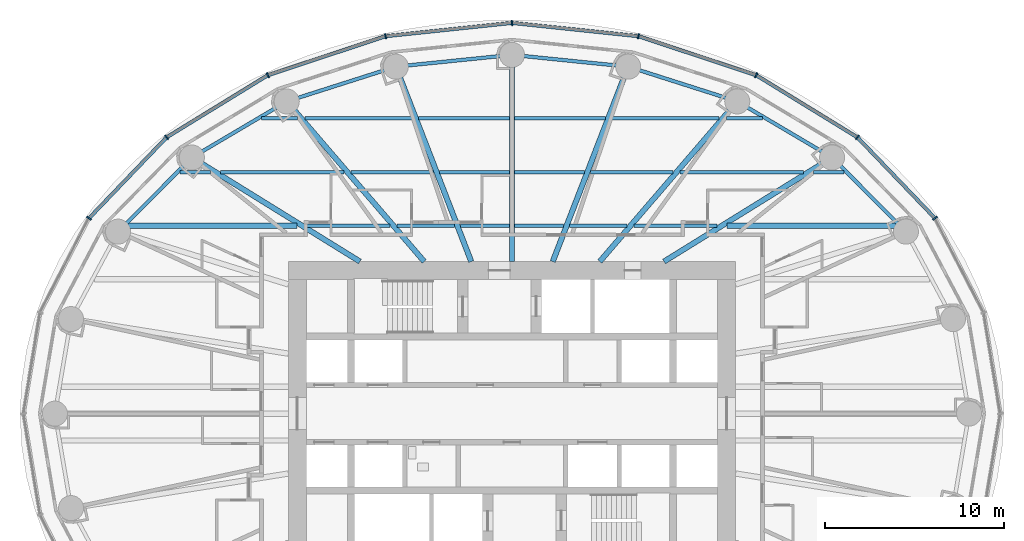
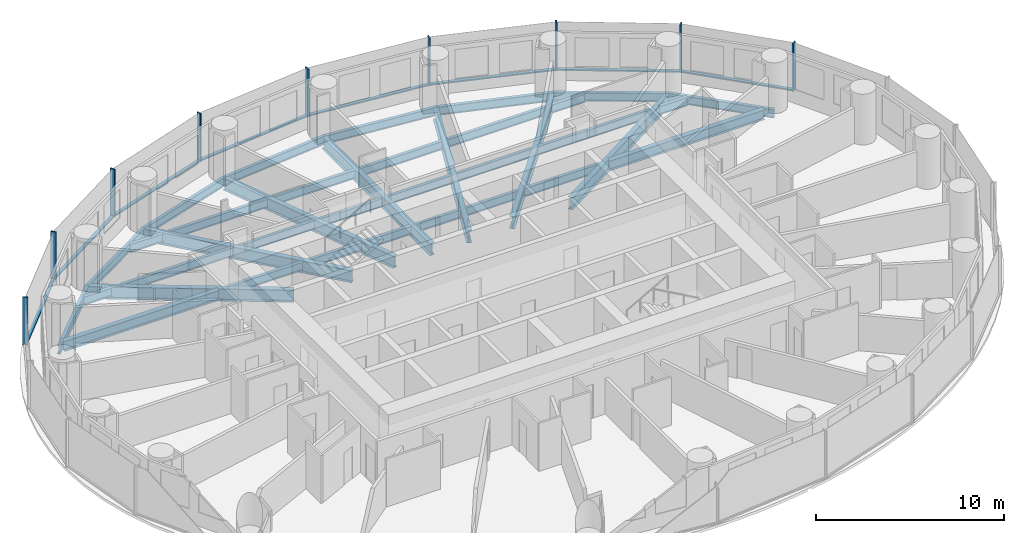
# One storey, part 4 of 16: 37 beams, 17 members, 2 elements without a shape of their own.
"""IFC4 building model written with IfcOpenShell, lengths in metres."""

from ifc_helpers import new_model, si_unit, direction, frame, origin, origin_2d, place, context, subcontext, project, spatial, rectangle, i_section, extrude, material, material_profile, profile_set, type_object, element, aggregate, save


model = new_model("IFC4")

# Units and contexts
model_context = context("Model", 3, precision=1e-05, world=origin(), true_north=direction((0.0, 1.0)))
body_context = subcontext(model_context, "Body", "Model", "MODEL_VIEW")
ifc_project = project(units=[si_unit("LENGTHUNIT", "METRE"), si_unit("AREAUNIT", "SQUARE_METRE"), si_unit("VOLUMEUNIT", "CUBIC_METRE"), si_unit("PLANEANGLEUNIT", "RADIAN"), si_unit("MASSUNIT", "GRAM", prefix="KILO")], contexts=[model_context])

# Site, building, storey
site_placement = place(None, origin())
site = spatial("IfcSite", under=ifc_project, at=site_placement, CompositionType="ELEMENT")
building_placement = place(site_placement, origin())
building = spatial("IfcBuilding", under=site, at=building_placement, Name="Hankou Lantern Tower", CompositionType="ELEMENT")
storey_placement = place(building_placement, frame((0.0, 0.0, 70.5)))
storey = spatial("IfcBuildingStorey", under=building, at=storey_placement, Name="L17", CompositionType="ELEMENT", Elevation=70.5)

# Beams
ifc_material_1 = material(Name="Steel Q355B", Category="steel")
ifc_material_profile_1 = material_profile(ifc_material_1, i_section(OverallWidth=0.199951171875, OverallDepth=0.550048828125, WebThickness=0.010009765625, FlangeThickness=0.01611328125, FilletRadius=0.012939453125, at=origin_2d()), Name="HN550x200x10x16")
ifc_profile_set_1 = profile_set([ifc_material_profile_1], Name="Steel Q355B")
beam_type_1 = type_object("IfcBeamType", Name="EB6 RING BEAM HN550x200x10x16", PredefinedType="SPANDREL", material=ifc_profile_set_1)
beam_1_placement = place(storey_placement, frame((22.01904296875, 10.170166015625, -0.455078125), z_axis=(-0.705727798394, 0.708483079949, 0.0), x_axis=(-0.708483079949, -0.705727798394, 0.0)))
element("IfcBeam", 1, at=beam_1_placement, inside=storey, type_object=beam_type_1, Name="Ring beam R03-R04 L17", PredefinedType="SPANDREL", context=body_context, shape_type="SweptSolid", body=[
    extrude(i_section(OverallWidth=0.199951171875, OverallDepth=0.550048828125, WebThickness=0.010009765625, FlangeThickness=0.01611328125, FilletRadius=0.012939453125, at=origin_2d()), origin(), (0.0, 0.0, 1.0), 5.84814453125),
])
beam_2_placement = place(storey_placement, frame((17.891845703125, 14.3134765625, -0.455078125), z_axis=(-0.860881533543, 0.508805449268, 0.0), x_axis=(-0.508805449268, -0.860881533543, 0.0)))
element("IfcBeam", 2, at=beam_2_placement, inside=storey, type_object=beam_type_1, Name="Ring beam R04-R05 L17", PredefinedType="SPANDREL", context=body_context, shape_type="SweptSolid", body=[
    extrude(i_section(OverallWidth=0.199951171875, OverallDepth=0.550048828125, WebThickness=0.010009765625, FlangeThickness=0.01611328125, FilletRadius=0.012939453125, at=origin_2d()), origin(), (0.0, 0.0, 1.0), 6.15771484375),
])
beam_3_placement = place(storey_placement, frame((12.5908203125, 17.446533203125, -0.455078125), z_axis=(-0.952690479428, 0.303942182671, 0.0), x_axis=(-0.303942182671, -0.952690479428, 0.0)))
element("IfcBeam", 3, at=beam_3_placement, inside=storey, type_object=beam_type_1, Name="Ring beam R05-R06 L17", PredefinedType="SPANDREL", context=body_context, shape_type="SweptSolid", body=[
    extrude(i_section(OverallWidth=0.199951171875, OverallDepth=0.550048828125, WebThickness=0.010009765625, FlangeThickness=0.01611328125, FilletRadius=0.012939453125, at=origin_2d()), origin(), (0.0, 0.0, 1.0), 6.398681640625),
])
for number, where, z_axis, x_axis, name in (
    (4, (6.494873046875, 19.391357421875, -0.455078125), (-0.994896616842, 0.100899562915, 0.0), (-0.100899562915, -0.994896616842, 0.0), "Ring beam R06-R07 L17"),
    (5, (0.0, 20.050048828125, -0.455078125), (-0.994896616842, -0.100899562915, 0.0), (0.100899562915, -0.994896616842, 0.0), "Ring beam R07-R08 L17"),
):
    element("IfcBeam", number, at=place(storey_placement, frame(where, z_axis=z_axis, x_axis=x_axis)), inside=storey, type_object=beam_type_1, Name=name, PredefinedType="SPANDREL", context=body_context, shape_type="SweptSolid", body=[
        extrude(i_section(OverallWidth=0.199951171875, OverallDepth=0.550048828125, WebThickness=0.010009765625, FlangeThickness=0.01611328125, FilletRadius=0.012939453125, at=origin_2d()), origin(), (0.0, 0.0, 1.0), 6.528076171875),
    ])
beam_4_placement = place(storey_placement, frame((-6.494873046875, 19.391357421875, -0.455078125), z_axis=(-0.952690479428, -0.303942182671, 0.0), x_axis=(0.303942182671, -0.952690479428, 0.0)))
element("IfcBeam", 6, at=beam_4_placement, inside=storey, type_object=beam_type_1, Name="Ring beam R08-R09 L17", PredefinedType="SPANDREL", context=body_context, shape_type="SweptSolid", body=[
    extrude(i_section(OverallWidth=0.199951171875, OverallDepth=0.550048828125, WebThickness=0.010009765625, FlangeThickness=0.01611328125, FilletRadius=0.012939453125, at=origin_2d()), origin(), (0.0, 0.0, 1.0), 6.398681640625),
])
beam_5_placement = place(storey_placement, frame((-12.5908203125, 17.446533203125, -0.455078125), z_axis=(-0.860881533543, -0.508805449268, 0.0), x_axis=(0.508805449268, -0.860881533543, 0.0)))
element("IfcBeam", 7, at=beam_5_placement, inside=storey, type_object=beam_type_1, Name="Ring beam R09-R10 L17", PredefinedType="SPANDREL", context=body_context, shape_type="SweptSolid", body=[
    extrude(i_section(OverallWidth=0.199951171875, OverallDepth=0.550048828125, WebThickness=0.010009765625, FlangeThickness=0.01611328125, FilletRadius=0.012939453125, at=origin_2d()), origin(), (0.0, 0.0, 1.0), 6.15771484375),
])
beam_6_placement = place(storey_placement, frame((-17.891845703125, 14.3134765625, -0.455078125), z_axis=(-0.705727798394, -0.708483079949, 0.0), x_axis=(0.708483079949, -0.705727798394, 0.0)))
element("IfcBeam", 8, at=beam_6_placement, inside=storey, type_object=beam_type_1, Name="Ring beam R10-R11 L17", PredefinedType="SPANDREL", context=body_context, shape_type="SweptSolid", body=[
    extrude(i_section(OverallWidth=0.199951171875, OverallDepth=0.550048828125, WebThickness=0.010009765625, FlangeThickness=0.01611328125, FilletRadius=0.012939453125, at=origin_2d()), origin(), (0.0, 0.0, 1.0), 5.84814453125),
])

# Curtain wall, members
ifc_material_2 = material(Name="Glass, dark grey tinted laminated", Category="glass")
curtain_wall_type = type_object("IfcCurtainWallType", Name="CWA OUTER SKIN LOW-RISE", PredefinedType="USERDEFINED", material=ifc_material_2)
curtain_wall_1_placement = place(storey_placement, origin())
curtain_wall_1 = element("IfcCurtainWall", 9, at=curtain_wall_1_placement, inside=storey, type_object=curtain_wall_type, Name="CWA L17 OS1", ObjectType="OUTER SKIN LOW-RISE", PredefinedType="USERDEFINED")
ifc_material_3 = material(Name="Aluminium, black anodised", Category="aluminium")
ifc_material_profile_2 = material_profile(ifc_material_3, rectangle(XDim=0.080078125, YDim=0.300048828125, at=origin_2d()), Name="MU1 80X300")
ifc_profile_set_2 = profile_set([ifc_material_profile_2], Name="Aluminium, black anodised")
member_type_1 = type_object("IfcMemberType", Name="MU1 OUTER SKIN MULLION 80X300", PredefinedType="MULLION", material=ifc_profile_set_2)
member_1_placement = place(storey_placement, frame((23.642578125, 10.919921875, 0.0), z_axis=(0.0, 0.0, 1.0), x_axis=(-0.585205735974, 0.810884854084, 0.0)))
member_1 = element("IfcMember", 10, at=member_1_placement, type_object=member_type_1, Name="CWA mullion 3", PredefinedType="MULLION", context=body_context, shape_type="SweptSolid", body=[
    extrude(rectangle(XDim=0.080078125, YDim=0.300048828125, at=origin_2d()), origin(), (0.0, 0.0, 1.0), 3.1201171875),
])
member_2_placement = place(storey_placement, frame((19.303955078125, 15.443115234375, 0.0), z_axis=(0.0, 0.0, 1.0), x_axis=(-0.780868809444, 0.624695047553, 0.0)))
member_2 = element("IfcMember", 11, at=member_2_placement, type_object=member_type_1, Name="CWA mullion 4", PredefinedType="MULLION", context=body_context, shape_type="SweptSolid", body=[
    extrude(rectangle(XDim=0.080078125, YDim=0.300048828125, at=origin_2d()), origin(), (0.0, 0.0, 1.0), 3.1201171875),
])
member_3_placement = place(storey_placement, frame((13.64990234375, 18.9140625, 0.0), z_axis=(0.0, 0.0, 1.0), x_axis=(-0.907841299004, 0.419313934686, 0.0)))
member_3 = element("IfcMember", 12, at=member_3_placement, type_object=member_type_1, Name="CWA mullion 5", PredefinedType="MULLION", context=body_context, shape_type="SweptSolid", body=[
    extrude(rectangle(XDim=0.080078125, YDim=0.300048828125, at=origin_2d()), origin(), (0.0, 0.0, 1.0), 3.1201171875),
])
member_4_placement = place(storey_placement, frame((7.065673828125, 21.095703125, 0.0), z_axis=(0.0, 0.0, 1.0), x_axis=(-0.977787659625, 0.209597931016, 0.0)))
member_4 = element("IfcMember", 13, at=member_4_placement, type_object=member_type_1, Name="CWA mullion 6", PredefinedType="MULLION", context=body_context, shape_type="SweptSolid", body=[
    extrude(rectangle(XDim=0.080078125, YDim=0.300048828125, at=origin_2d()), origin(), (0.0, 0.0, 1.0), 3.1201171875),
])

curtain_wall_2_placement = place(storey_placement, origin())
curtain_wall_2 = element("IfcCurtainWall", 14, at=curtain_wall_2_placement, inside=storey, type_object=curtain_wall_type, Name="CWA L17 OS2", ObjectType="OUTER SKIN LOW-RISE", PredefinedType="USERDEFINED")
member_5_placement = place(storey_placement, frame((0.0, 21.840087890625, 0.0), z_axis=(0.0, 0.0, 1.0), x_axis=(-0.994499359107, -0.104742659579, 0.0)))
member_5 = element("IfcMember", 15, at=member_5_placement, type_object=member_type_1, Name="CWA mullion 1", PredefinedType="MULLION", context=body_context, shape_type="SweptSolid", body=[
    extrude(rectangle(XDim=0.080078125, YDim=0.300048828125, at=origin_2d()), origin(), (0.0, 0.0, 1.0), 3.1201171875),
])
member_6_placement = place(storey_placement, frame((-7.065673828125, 21.095703125, 0.0), z_axis=(0.0, 0.0, 1.0), x_axis=(-0.977787659625, -0.209597931016, 0.0)))
member_6 = element("IfcMember", 16, at=member_6_placement, type_object=member_type_1, Name="CWA mullion 2", PredefinedType="MULLION", context=body_context, shape_type="SweptSolid", body=[
    extrude(rectangle(XDim=0.080078125, YDim=0.300048828125, at=origin_2d()), origin(), (0.0, 0.0, 1.0), 3.1201171875),
])
member_7_placement = place(storey_placement, frame((-13.64990234375, 18.9140625, 0.0), z_axis=(0.0, 0.0, 1.0), x_axis=(-0.907841299004, -0.419313934686, 0.0)))
member_7 = element("IfcMember", 17, at=member_7_placement, type_object=member_type_1, Name="CWA mullion 3", PredefinedType="MULLION", context=body_context, shape_type="SweptSolid", body=[
    extrude(rectangle(XDim=0.080078125, YDim=0.300048828125, at=origin_2d()), origin(), (0.0, 0.0, 1.0), 3.1201171875),
])
member_8_placement = place(storey_placement, frame((-19.303955078125, 15.443115234375, 0.0), z_axis=(0.0, 0.0, 1.0), x_axis=(-0.780868809444, -0.624695047553, 0.0)))
member_8 = element("IfcMember", 18, at=member_8_placement, type_object=member_type_1, Name="CWA mullion 4", PredefinedType="MULLION", context=body_context, shape_type="SweptSolid", body=[
    extrude(rectangle(XDim=0.080078125, YDim=0.300048828125, at=origin_2d()), origin(), (0.0, 0.0, 1.0), 3.1201171875),
])
member_9_placement = place(storey_placement, frame((-23.642578125, 10.919921875, 0.0), z_axis=(0.0, 0.0, 1.0), x_axis=(-0.585205735974, -0.810884854084, 0.0)))
member_9 = element("IfcMember", 19, at=member_9_placement, type_object=member_type_1, Name="CWA mullion 5", PredefinedType="MULLION", context=body_context, shape_type="SweptSolid", body=[
    extrude(rectangle(XDim=0.080078125, YDim=0.300048828125, at=origin_2d()), origin(), (0.0, 0.0, 1.0), 3.1201171875),
])

# Beams
ifc_material_4 = material(Name="Steel Q355B", Category="steel")
ifc_material_profile_3 = material_profile(ifc_material_4, i_section(OverallWidth=0.300048828125, OverallDepth=0.800048828125, WebThickness=0.013916015625, FlangeThickness=0.02587890625, FilletRadius=0.01806640625, at=origin_2d()), Name="HN800x300x14x26")
ifc_profile_set_3 = profile_set([ifc_material_profile_3], Name="Steel Q355B")
beam_type_2 = type_object("IfcBeamType", Name="RB11 RADIAL BEAM HN800x300x14x26", PredefinedType="BEAM", material=ifc_profile_set_3)
beam_7_placement = place(storey_placement, frame((8.5, 8.5, -0.580078125), z_axis=(0.850286343288, 0.526320372414, 0.0), x_axis=(-0.526320372414, 0.850286343288, 0.0)))
element("IfcBeam", 20, at=beam_7_placement, inside=storey, type_object=beam_type_2, Name="Radial beam R04 L17", PredefinedType="BEAM", context=body_context, shape_type="SweptSolid", body=[
    extrude(i_section(OverallWidth=0.300048828125, OverallDepth=0.800048828125, WebThickness=0.013916015625, FlangeThickness=0.02587890625, FilletRadius=0.01806640625, at=origin_2d()), origin(), (0.0, 0.0, 1.0), 11.04541015625),
])
beam_8_placement = place(storey_placement, frame((4.907470703125, 8.5, -0.580078125), z_axis=(0.651519061225, 0.758632264579, 0.0), x_axis=(-0.758632264579, 0.651519061225, 0.0)))
element("IfcBeam", 21, at=beam_8_placement, inside=storey, type_object=beam_type_2, Name="Radial beam R05 L17", PredefinedType="BEAM", context=body_context, shape_type="SweptSolid", body=[
    extrude(i_section(OverallWidth=0.300048828125, OverallDepth=0.800048828125, WebThickness=0.013916015625, FlangeThickness=0.02587890625, FilletRadius=0.01806640625, at=origin_2d()), origin(), (0.0, 0.0, 1.0), 11.79296875),
])
beam_9_placement = place(storey_placement, frame((2.277587890625, 8.5, -0.580078125), z_axis=(0.361089103374, 0.932531318201, 0.0), x_axis=(-0.932531318201, 0.361089103374, 0.0)))
element("IfcBeam", 22, at=beam_9_placement, inside=storey, type_object=beam_type_2, Name="Radial beam R06 L17", PredefinedType="BEAM", context=body_context, shape_type="SweptSolid", body=[
    extrude(i_section(OverallWidth=0.300048828125, OverallDepth=0.800048828125, WebThickness=0.013916015625, FlangeThickness=0.02587890625, FilletRadius=0.01806640625, at=origin_2d()), origin(), (0.0, 0.0, 1.0), 11.679443359375),
])
beam_10_placement = place(storey_placement, frame((0.0, 8.5, -0.580078125), z_axis=(0.0, 1.0, 0.0), x_axis=(-1.0, 0.0, 0.0)))
element("IfcBeam", 23, at=beam_10_placement, inside=storey, type_object=beam_type_2, Name="Radial beam R07 L17", PredefinedType="BEAM", context=body_context, shape_type="SweptSolid", body=[
    extrude(i_section(OverallWidth=0.300048828125, OverallDepth=0.800048828125, WebThickness=0.013916015625, FlangeThickness=0.02587890625, FilletRadius=0.01806640625, at=origin_2d()), origin(), (0.0, 0.0, 1.0), 11.550048828125),
])
beam_11_placement = place(storey_placement, frame((-2.277587890625, 8.5, -0.580078125), z_axis=(-0.361089103374, 0.932531318201, 0.0), x_axis=(-0.932531318201, -0.361089103374, 0.0)))
element("IfcBeam", 24, at=beam_11_placement, inside=storey, type_object=beam_type_2, Name="Radial beam R08 L17", PredefinedType="BEAM", context=body_context, shape_type="SweptSolid", body=[
    extrude(i_section(OverallWidth=0.300048828125, OverallDepth=0.800048828125, WebThickness=0.013916015625, FlangeThickness=0.02587890625, FilletRadius=0.01806640625, at=origin_2d()), origin(), (0.0, 0.0, 1.0), 11.679443359375),
])
beam_12_placement = place(storey_placement, frame((-4.907470703125, 8.5, -0.580078125), z_axis=(-0.651519061225, 0.758632264579, 0.0), x_axis=(-0.758632264579, -0.651519061225, 0.0)))
element("IfcBeam", 25, at=beam_12_placement, inside=storey, type_object=beam_type_2, Name="Radial beam R09 L17", PredefinedType="BEAM", context=body_context, shape_type="SweptSolid", body=[
    extrude(i_section(OverallWidth=0.300048828125, OverallDepth=0.800048828125, WebThickness=0.013916015625, FlangeThickness=0.02587890625, FilletRadius=0.01806640625, at=origin_2d()), origin(), (0.0, 0.0, 1.0), 11.79296875),
])
beam_13_placement = place(storey_placement, frame((-8.5, 8.5, -0.580078125), z_axis=(-0.850286343288, 0.526320372414, 0.0), x_axis=(-0.526320372414, -0.850286343288, 0.0)))
element("IfcBeam", 26, at=beam_13_placement, inside=storey, type_object=beam_type_2, Name="Radial beam R10 L17", PredefinedType="BEAM", context=body_context, shape_type="SweptSolid", body=[
    extrude(i_section(OverallWidth=0.300048828125, OverallDepth=0.800048828125, WebThickness=0.013916015625, FlangeThickness=0.02587890625, FilletRadius=0.01806640625, at=origin_2d()), origin(), (0.0, 0.0, 1.0), 11.04541015625),
])
ifc_material_5 = material(Name="Steel Q355B", Category="steel")
ifc_material_profile_4 = material_profile(ifc_material_5, i_section(OverallWidth=0.199951171875, OverallDepth=0.550048828125, WebThickness=0.010009765625, FlangeThickness=0.01611328125, FilletRadius=0.012939453125, at=origin_2d()), Name="HN550x200x10x16")
ifc_profile_set_4 = profile_set([ifc_material_profile_4], Name="Steel Q355B")
beam_type_3 = type_object("IfcBeamType", Name="SB6 SECONDARY BEAM HN550x200x10x16", PredefinedType="JOIST", material=ifc_profile_set_4)
beam_14_placement = place(storey_placement, frame((-11.446044921875, 10.5, -0.455078125), z_axis=(1.0, 0.0, 0.0), x_axis=(0.0, 1.0, 0.0)))
element("IfcBeam", 27, at=beam_14_placement, inside=storey, type_object=beam_type_3, Name="Floor joist J040 L17", PredefinedType="JOIST", context=body_context, shape_type="SweptSolid", body=[
    extrude(i_section(OverallWidth=0.199951171875, OverallDepth=0.550048828125, WebThickness=0.010009765625, FlangeThickness=0.01611328125, FilletRadius=0.012939453125, at=origin_2d()), origin(), (0.0, 0.0, 1.0), 4.623291015625),
])
beam_15_placement = place(storey_placement, frame((-6.427490234375, 10.5, -0.455078125), z_axis=(1.0, 0.0, 0.0), x_axis=(0.0, 1.0, 0.0)))
element("IfcBeam", 28, at=beam_15_placement, inside=storey, type_object=beam_type_3, Name="Floor joist J041 L17", PredefinedType="JOIST", context=body_context, shape_type="SweptSolid", body=[
    extrude(i_section(OverallWidth=0.199951171875, OverallDepth=0.550048828125, WebThickness=0.010009765625, FlangeThickness=0.01611328125, FilletRadius=0.012939453125, at=origin_2d()), origin(), (0.0, 0.0, 1.0), 3.214599609375),
])
for number, where, z_axis, x_axis, name in (
    (29, (-2.89111328125, 10.5, -0.455078125), (1.0, 0.0, 0.0), (0.0, 1.0, 0.0), "Floor joist J042 L17"),
    (30, (0.14990234375, 10.5, -0.455078125), (1.0, 0.0, 0.0), (0.0, 1.0, 0.0), "Floor joist J043 L17"),
):
    element("IfcBeam", number, at=place(storey_placement, frame(where, z_axis=z_axis, x_axis=x_axis)), inside=storey, type_object=beam_type_3, Name=name, PredefinedType="JOIST", context=body_context, shape_type="SweptSolid", body=[
        extrude(i_section(OverallWidth=0.199951171875, OverallDepth=0.550048828125, WebThickness=0.010009765625, FlangeThickness=0.01611328125, FilletRadius=0.012939453125, at=origin_2d()), origin(), (0.0, 0.0, 1.0), 2.7412109375),
    ])
beam_16_placement = place(storey_placement, frame((3.212890625, 10.5, -0.455078125), z_axis=(1.0, 0.0, 0.0), x_axis=(0.0, 1.0, 0.0)))
element("IfcBeam", 31, at=beam_16_placement, inside=storey, type_object=beam_type_3, Name="Floor joist J044 L17", PredefinedType="JOIST", context=body_context, shape_type="SweptSolid", body=[
    extrude(i_section(OverallWidth=0.199951171875, OverallDepth=0.550048828125, WebThickness=0.010009765625, FlangeThickness=0.01611328125, FilletRadius=0.012939453125, at=origin_2d()), origin(), (0.0, 0.0, 1.0), 3.214599609375),
])
beam_17_placement = place(storey_placement, frame((6.82275390625, 10.5, -0.455078125), z_axis=(1.0, 0.0, 0.0), x_axis=(0.0, 1.0, 0.0)))
element("IfcBeam", 32, at=beam_17_placement, inside=storey, type_object=beam_type_3, Name="Floor joist J045 L17", PredefinedType="JOIST", context=body_context, shape_type="SweptSolid", body=[
    extrude(i_section(OverallWidth=0.199951171875, OverallDepth=0.550048828125, WebThickness=0.010009765625, FlangeThickness=0.01611328125, FilletRadius=0.012939453125, at=origin_2d()), origin(), (0.0, 0.0, 1.0), 4.623291015625),
])
beam_18_placement = place(storey_placement, frame((-18.560791015625, 13.5, -0.455078125), z_axis=(1.0, 0.0, 0.0), x_axis=(0.0, 1.0, 0.0)))
element("IfcBeam", 33, at=beam_18_placement, inside=storey, type_object=beam_type_3, Name="Floor joist J047 L17", PredefinedType="JOIST", context=body_context, shape_type="SweptSolid", body=[
    extrude(i_section(OverallWidth=0.199951171875, OverallDepth=0.550048828125, WebThickness=0.010009765625, FlangeThickness=0.01611328125, FilletRadius=0.012939453125, at=origin_2d()), origin(), (0.0, 0.0, 1.0), 1.697998046875),
])
beam_19_placement = place(storey_placement, frame((-16.292724609375, 13.5, -0.455078125), z_axis=(1.0, 0.0, 0.0), x_axis=(0.0, 1.0, 0.0)))
element("IfcBeam", 34, at=beam_19_placement, inside=storey, type_object=beam_type_3, Name="Floor joist J048 L17", PredefinedType="JOIST", context=body_context, shape_type="SweptSolid", body=[
    extrude(i_section(OverallWidth=0.199951171875, OverallDepth=0.550048828125, WebThickness=0.010009765625, FlangeThickness=0.01611328125, FilletRadius=0.012939453125, at=origin_2d()), origin(), (0.0, 0.0, 1.0), 6.893310546875),
])
beam_20_placement = place(storey_placement, frame((-9.00390625, 13.5, -0.455078125), z_axis=(1.0, 0.0, 0.0), x_axis=(0.0, 1.0, 0.0)))
element("IfcBeam", 35, at=beam_20_placement, inside=storey, type_object=beam_type_3, Name="Floor joist J049 L17", PredefinedType="JOIST", context=body_context, shape_type="SweptSolid", body=[
    extrude(i_section(OverallWidth=0.199951171875, OverallDepth=0.550048828125, WebThickness=0.010009765625, FlangeThickness=0.01611328125, FilletRadius=0.012939453125, at=origin_2d()), origin(), (0.0, 0.0, 1.0), 4.62939453125),
])
for number, where, z_axis, x_axis, name in (
    (36, (-4.052734375, 13.5, -0.455078125), (1.0, 0.0, 0.0), (0.0, 1.0, 0.0), "Floor joist J050 L17"),
    (37, (0.14990234375, 13.5, -0.455078125), (1.0, 0.0, 0.0), (0.0, 1.0, 0.0), "Floor joist J051 L17"),
):
    element("IfcBeam", number, at=place(storey_placement, frame(where, z_axis=z_axis, x_axis=x_axis)), inside=storey, type_object=beam_type_3, Name=name, PredefinedType="JOIST", context=body_context, shape_type="SweptSolid", body=[
        extrude(i_section(OverallWidth=0.199951171875, OverallDepth=0.550048828125, WebThickness=0.010009765625, FlangeThickness=0.01611328125, FilletRadius=0.012939453125, at=origin_2d()), origin(), (0.0, 0.0, 1.0), 3.90283203125),
    ])
beam_21_placement = place(storey_placement, frame((4.37451171875, 13.5, -0.455078125), z_axis=(1.0, 0.0, 0.0), x_axis=(0.0, 1.0, 0.0)))
element("IfcBeam", 38, at=beam_21_placement, inside=storey, type_object=beam_type_3, Name="Floor joist J052 L17", PredefinedType="JOIST", context=body_context, shape_type="SweptSolid", body=[
    extrude(i_section(OverallWidth=0.199951171875, OverallDepth=0.550048828125, WebThickness=0.010009765625, FlangeThickness=0.01611328125, FilletRadius=0.012939453125, at=origin_2d()), origin(), (0.0, 0.0, 1.0), 4.62939453125),
])
beam_22_placement = place(storey_placement, frame((9.3994140625, 13.5, -0.455078125), z_axis=(1.0, 0.0, 0.0), x_axis=(0.0, 1.0, 0.0)))
element("IfcBeam", 39, at=beam_22_placement, inside=storey, type_object=beam_type_3, Name="Floor joist J053 L17", PredefinedType="JOIST", context=body_context, shape_type="SweptSolid", body=[
    extrude(i_section(OverallWidth=0.199951171875, OverallDepth=0.550048828125, WebThickness=0.010009765625, FlangeThickness=0.01611328125, FilletRadius=0.012939453125, at=origin_2d()), origin(), (0.0, 0.0, 1.0), 6.893310546875),
])
beam_23_placement = place(storey_placement, frame((16.86279296875, 13.5, -0.455078125), z_axis=(1.0, 0.0, 0.0), x_axis=(0.0, 1.0, 0.0)))
element("IfcBeam", 40, at=beam_23_placement, inside=storey, type_object=beam_type_3, Name="Floor joist J054 L17", PredefinedType="JOIST", context=body_context, shape_type="SweptSolid", body=[
    extrude(i_section(OverallWidth=0.199951171875, OverallDepth=0.550048828125, WebThickness=0.010009765625, FlangeThickness=0.01611328125, FilletRadius=0.012939453125, at=origin_2d()), origin(), (0.0, 0.0, 1.0), 1.697998046875),
])
beam_24_placement = place(storey_placement, frame((-13.99560546875, 16.5, -0.455078125), z_axis=(1.0, 0.0, 0.0), x_axis=(0.0, 1.0, 0.0)))
element("IfcBeam", 41, at=beam_24_placement, inside=storey, type_object=beam_type_3, Name="Floor joist J055 L17", PredefinedType="JOIST", context=body_context, shape_type="SweptSolid", body=[
    extrude(i_section(OverallWidth=0.199951171875, OverallDepth=0.550048828125, WebThickness=0.010009765625, FlangeThickness=0.01611328125, FilletRadius=0.012939453125, at=origin_2d()), origin(), (0.0, 0.0, 1.0), 2.019775390625),
])
beam_25_placement = place(storey_placement, frame((-11.580322265625, 16.5, -0.455078125), z_axis=(1.0, 0.0, 0.0), x_axis=(0.0, 1.0, 0.0)))
element("IfcBeam", 42, at=beam_25_placement, inside=storey, type_object=beam_type_3, Name="Floor joist J056 L17", PredefinedType="JOIST", context=body_context, shape_type="SweptSolid", body=[
    extrude(i_section(OverallWidth=0.199951171875, OverallDepth=0.550048828125, WebThickness=0.010009765625, FlangeThickness=0.01611328125, FilletRadius=0.012939453125, at=origin_2d()), origin(), (0.0, 0.0, 1.0), 6.044189453125),
])
for number, where, z_axis, x_axis, name in (
    (43, (-5.21435546875, 16.5, -0.455078125), (1.0, 0.0, 0.0), (0.0, 1.0, 0.0), "Floor joist J057 L17"),
    (44, (0.14990234375, 16.5, -0.455078125), (1.0, 0.0, 0.0), (0.0, 1.0, 0.0), "Floor joist J058 L17"),
):
    element("IfcBeam", number, at=place(storey_placement, frame(where, z_axis=z_axis, x_axis=x_axis)), inside=storey, type_object=beam_type_3, Name=name, PredefinedType="JOIST", context=body_context, shape_type="SweptSolid", body=[
        extrude(i_section(OverallWidth=0.199951171875, OverallDepth=0.550048828125, WebThickness=0.010009765625, FlangeThickness=0.01611328125, FilletRadius=0.012939453125, at=origin_2d()), origin(), (0.0, 0.0, 1.0), 5.064453125),
    ])
beam_26_placement = place(storey_placement, frame((5.5361328125, 16.5, -0.455078125), z_axis=(1.0, 0.0, 0.0), x_axis=(0.0, 1.0, 0.0)))
element("IfcBeam", 45, at=beam_26_placement, inside=storey, type_object=beam_type_3, Name="Floor joist J059 L17", PredefinedType="JOIST", context=body_context, shape_type="SweptSolid", body=[
    extrude(i_section(OverallWidth=0.199951171875, OverallDepth=0.550048828125, WebThickness=0.010009765625, FlangeThickness=0.01611328125, FilletRadius=0.012939453125, at=origin_2d()), origin(), (0.0, 0.0, 1.0), 6.044189453125),
])
beam_27_placement = place(storey_placement, frame((11.975830078125, 16.5, -0.455078125), z_axis=(1.0, 0.0, 0.0), x_axis=(0.0, 1.0, 0.0)))
element("IfcBeam", 46, at=beam_27_placement, inside=storey, type_object=beam_type_3, Name="Floor joist J060 L17", PredefinedType="JOIST", context=body_context, shape_type="SweptSolid", body=[
    extrude(i_section(OverallWidth=0.199951171875, OverallDepth=0.550048828125, WebThickness=0.010009765625, FlangeThickness=0.01611328125, FilletRadius=0.012939453125, at=origin_2d()), origin(), (0.0, 0.0, 1.0), 2.019775390625),
])
ifc_material_6 = material(Name="Steel Q355B", Category="steel")
ifc_material_profile_5 = material_profile(ifc_material_6, i_section(OverallWidth=0.300048828125, OverallDepth=0.64990234375, WebThickness=0.010986328125, FlangeThickness=0.01708984375, FilletRadius=0.01806640625, at=origin_2d()), Name="HN650x300x11x17")
ifc_profile_set_5 = profile_set([ifc_material_profile_5], Name="Steel Q355B")
beam_type_4 = type_object("IfcBeamType", Name="SB8 SECONDARY BEAM HN650x300x11x17", PredefinedType="JOIST", material=ifc_profile_set_5)
for number, where, z_axis, x_axis, name in (
    (47, (-21.54931640625, 10.5, -0.5048828125), (1.0, 0.0, 0.0), (0.0, 1.0, 0.0), "Floor joist J039 L17"),
    (48, (12.01611328125, 10.5, -0.5048828125), (1.0, 0.0, 0.0), (0.0, 1.0, 0.0), "Floor joist J046 L17"),
):
    element("IfcBeam", number, at=place(storey_placement, frame(where, z_axis=z_axis, x_axis=x_axis)), inside=storey, type_object=beam_type_4, Name=name, PredefinedType="JOIST", context=body_context, shape_type="SweptSolid", body=[
        extrude(i_section(OverallWidth=0.300048828125, OverallDepth=0.64990234375, WebThickness=0.010986328125, FlangeThickness=0.01708984375, FilletRadius=0.01806640625, at=origin_2d()), origin(), (0.0, 0.0, 1.0), 9.533203125),
    ])

# Member
ifc_material_7 = material(Name="Aluminium, black anodised", Category="aluminium")
ifc_material_profile_6 = material_profile(ifc_material_7, rectangle(XDim=0.199951171875, YDim=0.080078125, at=origin_2d()), Name="TR1 200X80")
ifc_profile_set_6 = profile_set([ifc_material_profile_6], Name="Aluminium, black anodised")
member_type_2 = type_object("IfcMemberType", Name="TR1 OUTER SKIN TRANSOM 200X80", PredefinedType="USERDEFINED", material=ifc_profile_set_6)
member_10_placement = place(storey_placement, frame((23.61474609375, 10.948974609375, 0.0400390625), z_axis=(-0.692215537374, 0.721690827029, 0.0), x_axis=(-0.721690827029, -0.692215537374, 0.0)))
member_10 = element("IfcMember", 49, at=member_10_placement, type_object=member_type_2, Name="CWA transom 3", ObjectType="TRANSOM", PredefinedType="USERDEFINED", context=body_context, shape_type="SweptSolid", body=[
    extrude(rectangle(XDim=0.199951171875, YDim=0.080078125, at=origin_2d()), origin(), (0.0, 0.0, 1.0), 6.187255859375),
])

member_11_placement = place(storey_placement, frame((19.27001953125, 15.464111328125, 0.0400390625), z_axis=(-0.85223969557, 0.523151508929, 0.0), x_axis=(-0.523151508929, -0.85223969557, 0.0)))
member_11 = element("IfcMember", 50, at=member_11_placement, type_object=member_type_2, Name="CWA transom 4", ObjectType="TRANSOM", PredefinedType="USERDEFINED", context=body_context, shape_type="SweptSolid", body=[
    extrude(rectangle(XDim=0.199951171875, YDim=0.080078125, at=origin_2d()), origin(), (0.0, 0.0, 1.0), 6.554443359375),
])

member_12_placement = place(storey_placement, frame((13.612060546875, 18.926513671875, 0.0400390625), z_axis=(-0.949237318771, 0.314560825044, 0.0), x_axis=(-0.314560825044, -0.949237318771, 0.0)))
member_12 = element("IfcMember", 51, at=member_12_placement, type_object=member_type_2, Name="CWA transom 5", ObjectType="TRANSOM", PredefinedType="USERDEFINED", context=body_context, shape_type="SweptSolid", body=[
    extrude(rectangle(XDim=0.199951171875, YDim=0.080078125, at=origin_2d()), origin(), (0.0, 0.0, 1.0), 6.8564453125),
])

member_13_placement = place(storey_placement, frame((7.02587890625, 21.10009765625, 0.0400390625), z_axis=(-0.994502215033, 0.104715539888, 0.0), x_axis=(-0.104715539888, -0.994502215033, 0.0)))
member_13 = element("IfcMember", 52, at=member_13_placement, type_object=member_type_2, Name="CWA transom 6", ObjectType="TRANSOM", PredefinedType="USERDEFINED", context=body_context, shape_type="SweptSolid", body=[
    extrude(rectangle(XDim=0.199951171875, YDim=0.080078125, at=origin_2d()), origin(), (0.0, 0.0, 1.0), 7.024658203125),
])

aggregate(curtain_wall_1, [member_1, member_2, member_3, member_4, member_10, member_11, member_12, member_13])

member_14_placement = place(storey_placement, frame((-0.039794921875, 21.835693359375, 0.0400390625), z_axis=(-0.994502215033, -0.104715539888, 0.0), x_axis=(0.104715539888, -0.994502215033, 0.0)))
member_14 = element("IfcMember", 53, at=member_14_placement, type_object=member_type_2, Name="CWA transom 1", ObjectType="TRANSOM", PredefinedType="USERDEFINED", context=body_context, shape_type="SweptSolid", body=[
    extrude(rectangle(XDim=0.199951171875, YDim=0.080078125, at=origin_2d()), origin(), (0.0, 0.0, 1.0), 7.024658203125),
])

member_15_placement = place(storey_placement, frame((-7.103759765625, 21.083251953125, 0.0400390625), z_axis=(-0.949237318771, -0.314560825044, 0.0), x_axis=(0.314560825044, -0.949237318771, 0.0)))
member_15 = element("IfcMember", 54, at=member_15_placement, type_object=member_type_2, Name="CWA transom 2", ObjectType="TRANSOM", PredefinedType="USERDEFINED", context=body_context, shape_type="SweptSolid", body=[
    extrude(rectangle(XDim=0.199951171875, YDim=0.080078125, at=origin_2d()), origin(), (0.0, 0.0, 1.0), 6.8564453125),
])

member_16_placement = place(storey_placement, frame((-13.68408203125, 18.89306640625, 0.0400390625), z_axis=(-0.85223969557, -0.523151508929, 0.0), x_axis=(0.523151508929, -0.85223969557, 0.0)))
member_16 = element("IfcMember", 55, at=member_16_placement, type_object=member_type_2, Name="CWA transom 3", ObjectType="TRANSOM", PredefinedType="USERDEFINED", context=body_context, shape_type="SweptSolid", body=[
    extrude(rectangle(XDim=0.199951171875, YDim=0.080078125, at=origin_2d()), origin(), (0.0, 0.0, 1.0), 6.554443359375),
])

member_17_placement = place(storey_placement, frame((-19.331787109375, 15.414306640625, 0.0400390625), z_axis=(-0.692215537374, -0.721690827029, 0.0), x_axis=(0.721690827029, -0.692215537374, 0.0)))
member_17 = element("IfcMember", 56, at=member_17_placement, type_object=member_type_2, Name="CWA transom 4", ObjectType="TRANSOM", PredefinedType="USERDEFINED", context=body_context, shape_type="SweptSolid", body=[
    extrude(rectangle(XDim=0.199951171875, YDim=0.080078125, at=origin_2d()), origin(), (0.0, 0.0, 1.0), 6.187255859375),
])

aggregate(curtain_wall_2, [member_5, member_6, member_7, member_8, member_9, member_14, member_15, member_16, member_17])

save(model, "model.ifc")
